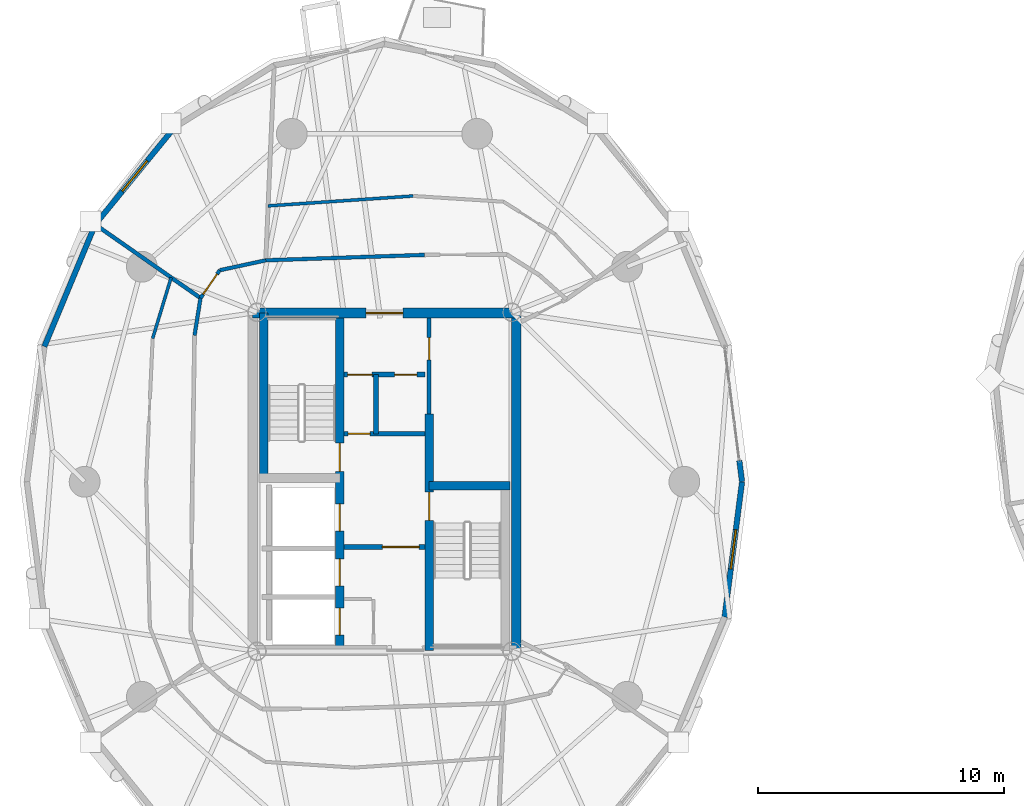
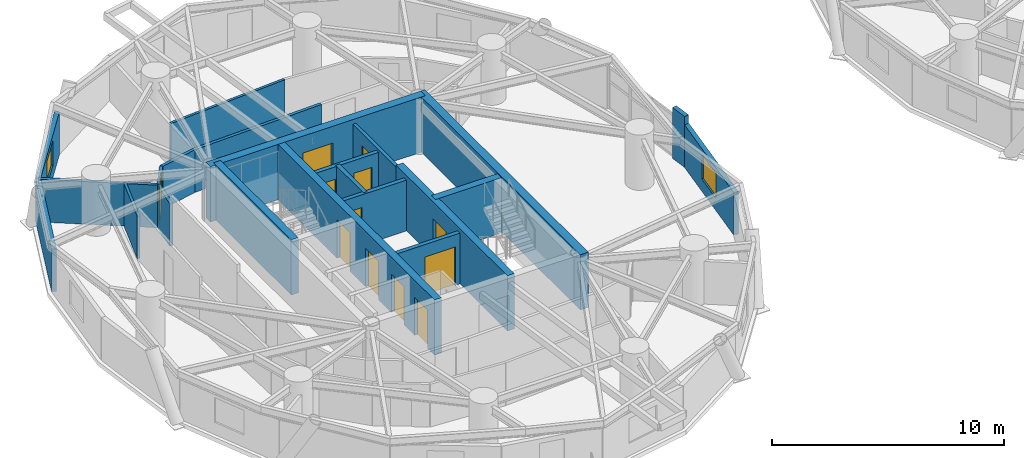
# One storey, part 12 of 19: 22 walls, 12 doors, 2 windows, 14 openings.
"""IFC4 building model written with IfcOpenShell, lengths in metres."""

from ifc_helpers import new_model, si_unit, direction, frame, frame_2d, origin, place, context, subcontext, project, spatial, rectangle, extrude, source, transform, mapped, material, layer, layer_set, type_object, element, fill, save


model = new_model("IFC4")

# Units and contexts
model_context = context("Model", 3, precision=1e-05, world=origin(), true_north=direction((0.0, 1.0)))
body_context = subcontext(model_context, "Body", "Model", "MODEL_VIEW")
ifc_project = project(units=[si_unit("LENGTHUNIT", "METRE"), si_unit("AREAUNIT", "SQUARE_METRE"), si_unit("VOLUMEUNIT", "CUBIC_METRE"), si_unit("PLANEANGLEUNIT", "RADIAN"), si_unit("MASSUNIT", "GRAM", prefix="KILO")], contexts=[model_context])

# Site, building, storey
site_placement = place(None, origin())
site = spatial("IfcSite", under=ifc_project, at=site_placement, CompositionType="ELEMENT")
building_placement = place(site_placement, origin())
building = spatial("IfcBuilding", under=site, at=building_placement, Name="Cununo Teusaquillo Station Towers", CompositionType="ELEMENT")
storey_placement = place(building_placement, frame((0.0, 0.0, 160.330078125)))
storey = spatial("IfcBuildingStorey", under=building, at=storey_placement, Name="L50", CompositionType="ELEMENT", Elevation=160.330078125)

# Wall, openings, doors
ifc_material_1 = material(Name="Concrete C50/60", Category="concrete")
ifc_layer_1 = layer(ifc_material_1, 0.35009765625)
ifc_layer_set_1 = layer_set([ifc_layer_1], Name="Concrete C50/60")
wall_type_1 = type_object("IfcWallType", Name="WL-CORE-350", PredefinedType="SHEAR", material=ifc_layer_set_1)
wall_1_placement = place(storey_placement, frame((14.68505859375, 17.64990234375, 0.0), z_axis=(0.0, 0.0, 1.0), x_axis=(0.0, 1.0, 0.0)))
wall_1 = element("IfcWall", 1, at=wall_1_placement, inside=storey, type_object=wall_type_1, Name="L50 Tower A Core Shear Wall IW", PredefinedType="SHEAR", context=body_context, shape_type="SweptSolid", body=[
    extrude(rectangle(XDim=13.7001953125, YDim=0.35009765625, at=frame_2d((6.85009765625, 0.0))), origin(), (0.0, 0.0, 1.0), 2.909912109375),
])
shared_shape_1 = source(origin(), body_context, "Body", "SweptSolid", [
    extrude(rectangle(XDim=1.10009765625, YDim=2.014892578125, at=frame_2d((0.550048828125, 1.00732421875))), frame((0.0, 0.18505859375, 0.0), z_axis=(0.0, -1.0, 0.0), x_axis=(1.0, 0.0, 0.0)), (0.0, 0.0, 1.0), 0.3701171875),
])
opening_1_placement = place(wall_1_placement, frame((4.85009765625, 0.0, 0.0)))
opening_1 = element("IfcOpeningElement", 2, at=opening_1_placement, cuts=wall_1, Name="Opening LD-01", PredefinedType="OPENING", context=body_context, shape_type="MappedRepresentation", body=[
    mapped(shared_shape_1, transform((0.0, 0.0, 0.0), x_axis=(1.0, 0.0, 0.0), y_axis=(0.0, 1.0, 0.0), z_axis=(0.0, 0.0, 1.0), scale=1.0)),
])
opening_2_placement = place(wall_1_placement, frame((0.625, 0.0, 0.0)))
opening_2 = element("IfcOpeningElement", 3, at=opening_2_placement, cuts=wall_1, Name="Opening LD-01", PredefinedType="OPENING", context=body_context, shape_type="MappedRepresentation", body=[
    mapped(shared_shape_1, transform((0.0, 0.0, 0.0), x_axis=(1.0, 0.0, 0.0), y_axis=(0.0, 1.0, 0.0), z_axis=(0.0, 0.0, 1.0), scale=1.0)),
])
opening_3_placement = place(wall_1_placement, frame((2.625, 0.0, 0.0)))
opening_3 = element("IfcOpeningElement", 4, at=opening_3_placement, cuts=wall_1, Name="Opening LD-01", PredefinedType="OPENING", context=body_context, shape_type="MappedRepresentation", body=[
    mapped(shared_shape_1, transform((0.0, 0.0, 0.0), x_axis=(1.0, 0.0, 0.0), y_axis=(0.0, 1.0, 0.0), z_axis=(0.0, 0.0, 1.0), scale=1.0)),
])
shared_shape_2 = source(origin(), body_context, "Body", "SweptSolid", [
    extrude(rectangle(XDim=1.14990234375, YDim=2.02001953125, at=frame_2d((0.574951171875, 1.010009765625))), frame((0.0, 0.18505859375, 0.0), z_axis=(0.0, -1.0, 0.0), x_axis=(1.0, 0.0, 0.0)), (0.0, 0.0, 1.0), 0.3701171875),
])
opening_4_placement = place(wall_1_placement, frame((7.27001953125, 0.0, 0.0)))
opening_4 = element("IfcOpeningElement", 5, at=opening_4_placement, cuts=wall_1, Name="Opening D-ST1", PredefinedType="OPENING", context=body_context, shape_type="MappedRepresentation", body=[
    mapped(shared_shape_2, transform((0.0, 0.0, 0.0), x_axis=(1.0, 0.0, 0.0), y_axis=(0.0, 1.0, 0.0), z_axis=(0.0, 0.0, 1.0), scale=1.0)),
])
ifc_material_2 = material(Name="Galvanised fire-rated hollow steel door assembly", Category="steel")
door_type_1 = type_object("IfcDoorType", Name="DR-LIFT-1100", OperationType="SLIDING_TO_LEFT", PredefinedType="DOOR", material=ifc_material_2)
shared_shape_3 = source(origin(), body_context, "Body", "SweptSolid", [
    extrude(rectangle(XDim=1.10009765625, YDim=2.014892578125, at=frame_2d((0.550048828125, 1.00732421875))), frame((0.0, 0.02490234375, 0.0), z_axis=(0.0, -1.0, 0.0), x_axis=(1.0, 0.0, 0.0)), (0.0, 0.0, 1.0), 0.050048828125),
])
door_1_placement = place(opening_1_placement, origin())
door_1 = element("IfcDoor", 6, at=door_1_placement, inside=storey, type_object=door_type_1, Name="L50 Lift FL-T1 Sliding Landing Door", OperationType="SLIDING_TO_LEFT", OverallHeight=2.014892578125, OverallWidth=1.10009765625, PredefinedType="DOOR", context=body_context, shape_type="MappedRepresentation", body=[
    mapped(shared_shape_3, transform((0.0, 0.0, 0.0), x_axis=(1.0, 0.0, 0.0), y_axis=(0.0, 1.0, 0.0), z_axis=(0.0, 0.0, 1.0), scale=1.0)),
])
fill(opening_1, door_1)
door_2_placement = place(opening_2_placement, origin())
door_2 = element("IfcDoor", 7, at=door_2_placement, inside=storey, type_object=door_type_1, Name="L50 Lift PL-T1-H1 Sliding Landing Door", OperationType="SLIDING_TO_RIGHT", OverallHeight=2.014892578125, OverallWidth=1.10009765625, PredefinedType="DOOR", context=body_context, shape_type="MappedRepresentation", body=[
    mapped(shared_shape_3, transform((0.0, 0.0, 0.0), x_axis=(1.0, 0.0, 0.0), y_axis=(0.0, 1.0, 0.0), z_axis=(0.0, 0.0, 1.0), scale=1.0)),
])
fill(opening_2, door_2)
door_3_placement = place(opening_3_placement, origin())
door_3 = element("IfcDoor", 8, at=door_3_placement, inside=storey, type_object=door_type_1, Name="L50 Lift PL-T1-H2 Sliding Landing Door", OperationType="SLIDING_TO_LEFT", OverallHeight=2.014892578125, OverallWidth=1.10009765625, PredefinedType="DOOR", context=body_context, shape_type="MappedRepresentation", body=[
    mapped(shared_shape_3, transform((0.0, 0.0, 0.0), x_axis=(1.0, 0.0, 0.0), y_axis=(0.0, 1.0, 0.0), z_axis=(0.0, 0.0, 1.0), scale=1.0)),
])
fill(opening_3, door_3)
ifc_material_3 = material(Name="Galvanised fire-rated hollow steel door assembly", Category="steel")
door_type_2 = type_object("IfcDoorType", Name="DR-STAIR-1150", OperationType="NOTDEFINED", PredefinedType="DOOR", material=ifc_material_3)
shared_shape_4 = source(origin(), body_context, "Body", "SweptSolid", [
    extrude(rectangle(XDim=1.14990234375, YDim=2.02001953125, at=frame_2d((0.574951171875, 1.010009765625))), frame((0.0, 0.02490234375, 0.0), z_axis=(0.0, -1.0, 0.0), x_axis=(1.0, 0.0, 0.0)), (0.0, 0.0, 1.0), 0.050048828125),
])
door_4_placement = place(opening_4_placement, origin())
door_4 = element("IfcDoor", 9, at=door_4_placement, inside=storey, type_object=door_type_2, Name="L50 Tower A Exit Stair 1 Fire Door", OperationType="SINGLE_SWING_RIGHT", OverallHeight=2.02001953125, OverallWidth=1.14990234375, PredefinedType="DOOR", context=body_context, shape_type="MappedRepresentation", body=[
    mapped(shared_shape_4, transform((0.0, 0.0, 0.0), x_axis=(1.0, 0.0, 0.0), y_axis=(0.0, 1.0, 0.0), z_axis=(0.0, 0.0, 1.0), scale=1.0)),
])
fill(opening_4, door_4)

# Wall, opening, door
wall_2_placement = place(storey_placement, frame((18.31494140625, 17.64990234375, 0.0), z_axis=(0.0, 0.0, 1.0), x_axis=(0.0, 1.0, 0.0)))
wall_2 = element("IfcWall", 10, at=wall_2_placement, inside=storey, type_object=wall_type_1, Name="L50 Tower A Core Shear Wall IE", PredefinedType="SHEAR", context=body_context, shape_type="SweptSolid", body=[
    extrude(rectangle(XDim=9.60009765625, YDim=0.35009765625, at=frame_2d((4.800048828125, 0.0))), origin(), (0.0, 0.0, 1.0), 2.909912109375),
])
opening_5_placement = place(wall_2_placement, frame((5.280029296875, 0.0, 0.0)))
opening_5 = element("IfcOpeningElement", 11, at=opening_5_placement, cuts=wall_2, Name="Opening D-ST1", PredefinedType="OPENING", context=body_context, shape_type="MappedRepresentation", body=[
    mapped(shared_shape_2, transform((0.0, 0.0, 0.0), x_axis=(1.0, 0.0, 0.0), y_axis=(0.0, 1.0, 0.0), z_axis=(0.0, 0.0, 1.0), scale=1.0)),
])
door_5_placement = place(opening_5_placement, origin())
door_5 = element("IfcDoor", 12, at=door_5_placement, inside=storey, type_object=door_type_2, Name="L50 Tower A Exit Stair 2 Fire Door", OperationType="SINGLE_SWING_LEFT", OverallHeight=2.02001953125, OverallWidth=1.14990234375, PredefinedType="DOOR", context=body_context, shape_type="MappedRepresentation", body=[
    mapped(shared_shape_4, transform((0.0, 0.0, 0.0), x_axis=(1.0, 0.0, 0.0), y_axis=(0.0, 1.0, 0.0), z_axis=(0.0, 0.0, 1.0), scale=1.0)),
])
fill(opening_5, door_5)

# Walls
wall_3_placement = place(storey_placement, frame((11.594970703125, 24.655029296875, 0.0), z_axis=(0.0, 0.0, 1.0), x_axis=(0.0, 1.0, 0.0)))
element("IfcWall", 13, at=wall_3_placement, inside=storey, type_object=wall_type_1, Name="L50 Tower A Core Shear Wall ST1W", PredefinedType="SHEAR", context=body_context, shape_type="SweptSolid", body=[
    extrude(rectangle(XDim=6.695068359375, YDim=0.35009765625, at=frame_2d((3.34765625, 0.0))), origin(), (0.0, 0.0, 1.0), 2.909912109375),
])
wall_4_placement = place(storey_placement, frame((18.31494140625, 24.344970703125, 0.0), z_axis=(0.0, 0.0, 1.0), x_axis=(1.0, 0.0, 0.0)))
element("IfcWall", 14, at=wall_4_placement, inside=storey, type_object=wall_type_1, Name="L50 Tower A Core Shear Wall ST2N", PredefinedType="SHEAR", context=body_context, shape_type="SweptSolid", body=[
    extrude(rectangle(XDim=3.28515625, YDim=0.35009765625, at=frame_2d((1.642578125, 0.0))), origin(), (0.0, 0.0, 1.0), 2.909912109375),
])
ifc_material_4 = material(Name="Concrete C50/60", Category="concrete")
ifc_layer_2 = layer(ifc_material_4, 0.39990234375)
ifc_layer_set_2 = layer_set([ifc_layer_2], Name="Concrete C50/60")
wall_type_2 = type_object("IfcWallType", Name="WL-CORE-400", PredefinedType="SHEAR", material=ifc_layer_set_2)
wall_5_placement = place(storey_placement, frame((21.85009765625, 17.449951171875, 0.0), z_axis=(0.0, 0.0, 1.0), x_axis=(0.0, 1.0, 0.0)))
element("IfcWall", 15, at=wall_5_placement, inside=storey, type_object=wall_type_2, Name="L50 Tower A Core Shear Wall E", PredefinedType="SHEAR", context=body_context, shape_type="SweptSolid", body=[
    extrude(rectangle(XDim=14.10009765625, YDim=0.39990234375, at=frame_2d((7.050048828125, 0.0))), origin(), (0.0, 0.0, 1.0), 2.909912109375),
])

# Wall, opening, door
wall_6_placement = place(storey_placement, frame((11.14990234375, 31.35009765625, 0.0), z_axis=(0.0, 0.0, 1.0), x_axis=(1.0, 0.0, 0.0)))
wall_6 = element("IfcWall", 16, at=wall_6_placement, inside=storey, type_object=wall_type_2, Name="L50 Tower A Core Shear Wall N", PredefinedType="SHEAR", context=body_context, shape_type="SweptSolid", body=[
    extrude(rectangle(XDim=10.7001953125, YDim=0.39990234375, at=frame_2d((5.35009765625, 0.0))), origin(), (0.0, 0.0, 1.0), 2.909912109375),
])
shared_shape_5 = source(origin(), body_context, "Body", "SweptSolid", [
    extrude(rectangle(XDim=1.5, YDim=2.02001953125, at=frame_2d((0.75, 1.010009765625))), frame((0.0, 0.2099609375, 0.0), z_axis=(0.0, -1.0, 0.0), x_axis=(1.0, 0.0, 0.0)), (0.0, 0.0, 1.0), 0.419921875),
])
opening_6_placement = place(wall_6_placement, frame((4.60009765625, 0.0, 0.0)))
opening_6 = element("IfcOpeningElement", 17, at=opening_6_placement, cuts=wall_6, Name="Opening D-LB1", PredefinedType="OPENING", context=body_context, shape_type="MappedRepresentation", body=[
    mapped(shared_shape_5, transform((0.0, 0.0, 0.0), x_axis=(1.0, 0.0, 0.0), y_axis=(0.0, 1.0, 0.0), z_axis=(0.0, 0.0, 1.0), scale=1.0)),
])
ifc_material_5 = material(Name="Galvanised fire-rated hollow steel door assembly", Category="steel")
door_type_3 = type_object("IfcDoorType", Name="DR-LOBBY-1500", OperationType="DOUBLE_DOOR_SINGLE_SWING", PredefinedType="DOOR", material=ifc_material_5)
shared_shape_6 = source(origin(), body_context, "Body", "SweptSolid", [
    extrude(rectangle(XDim=1.5, YDim=2.02001953125, at=frame_2d((0.75, 1.010009765625))), frame((0.0, 0.02490234375, 0.0), z_axis=(0.0, -1.0, 0.0), x_axis=(1.0, 0.0, 0.0)), (0.0, 0.0, 1.0), 0.050048828125),
])
door_6_placement = place(opening_6_placement, origin())
door_6 = element("IfcDoor", 18, at=door_6_placement, inside=storey, type_object=door_type_3, Name="L50 Tower A North Core Lift Lobby Door", OperationType="DOUBLE_DOOR_SINGLE_SWING", OverallHeight=2.02001953125, OverallWidth=1.5, PredefinedType="DOOR", context=body_context, shape_type="MappedRepresentation", body=[
    mapped(shared_shape_6, transform((0.0, 0.0, 0.0), x_axis=(1.0, 0.0, 0.0), y_axis=(0.0, 1.0, 0.0), z_axis=(0.0, 0.0, 1.0), scale=1.0)),
])
fill(opening_6, door_6)

# Wall
ifc_material_6 = material(Name="Precast concrete C40/50", Category="concrete")
ifc_layer_3 = layer(ifc_material_6, 0.219970703125)
ifc_layer_set_3 = layer_set([ifc_layer_3], Name="Precast concrete C40/50")
wall_type_3 = type_object("IfcWallType", Name="WL-EXT-220", PredefinedType="SOLIDWALL", material=ifc_layer_set_3)
wall_7_placement = place(storey_placement, frame((30.9033203125, 25.36279296875, 0.0), z_axis=(0.0, 0.0, 1.0), x_axis=(0.128247365719, -0.991742211054, 0.0)))
element("IfcWall", 19, at=wall_7_placement, inside=storey, type_object=wall_type_3, Name="L50 Tower A Column Pier Cladding Wall C00-PB", PredefinedType="SOLIDWALL", context=body_context, shape_type="SweptSolid", body=[
    extrude(rectangle(XDim=0.869873046875, YDim=0.219970703125, at=frame_2d((0.43505859375, 0.0))), origin(), (0.0, 0.0, 1.0), 2.6748046875),
])

# Wall, opening, window
wall_8_placement = place(storey_placement, frame((4.757080078125, 34.94482421875, 0.0), z_axis=(0.0, 0.0, 1.0), x_axis=(0.632598524901, 0.774479894053, 0.0)))
wall_8 = element("IfcWall", 20, at=wall_8_placement, inside=storey, type_object=wall_type_3, Name="L50 Tower A Exterior Facade Wall C07", PredefinedType="SOLIDWALL", context=body_context, shape_type="SweptSolid", body=[
    extrude(rectangle(XDim=5.076171875, YDim=0.219970703125, at=frame_2d((2.5380859375, 0.0))), origin(), (0.0, 0.0, 1.0), 2.244873046875),
])
shared_shape_7 = source(origin(), body_context, "Body", "SweptSolid", [
    extrude(rectangle(XDim=1.60009765625, YDim=1.300048828125, at=frame_2d((0.800048828125, 0.64990234375))), frame((0.0, 0.119873046875, 0.0), z_axis=(0.0, -1.0, 0.0), x_axis=(1.0, 0.0, 0.0)), (0.0, 0.0, 1.0), 0.239990234375),
])
opening_7_placement = place(wall_8_placement, frame((1.738037109375, 0.0, 0.64990234375)))
opening_7 = element("IfcOpeningElement", 21, at=opening_7_placement, cuts=wall_8, Name="Opening WN-03", PredefinedType="OPENING", context=body_context, shape_type="MappedRepresentation", body=[
    mapped(shared_shape_7, transform((0.0, 0.0, 0.0), x_axis=(1.0, 0.0, 0.0), y_axis=(0.0, 1.0, 0.0), z_axis=(0.0, 0.0, 1.0), scale=1.0)),
])
ifc_material_7 = material(Name="Ceramic-fritted dark low-E double glazing", Category="glass")
window_type = type_object("IfcWindowType", Name="WIN-CORN-1600", PartitioningType="SINGLE_PANEL", PredefinedType="WINDOW", material=ifc_material_7)
shared_shape_8 = source(origin(), body_context, "Body", "SweptSolid", [
    extrude(rectangle(XDim=1.60009765625, YDim=1.300048828125, at=frame_2d((0.800048828125, 0.64990234375))), frame((0.0, 0.030029296875, 0.0), z_axis=(0.0, -1.0, 0.0), x_axis=(1.0, 0.0, 0.0)), (0.0, 0.0, 1.0), 0.06005859375),
])
window_1_placement = place(opening_7_placement, origin())
window_1 = element("IfcWindow", 22, at=window_1_placement, inside=storey, type_object=window_type, Name="L50 Tower A Facade Window C07", OverallHeight=1.300048828125, OverallWidth=1.60009765625, PartitioningType="SINGLE_PANEL", PredefinedType="WINDOW", context=body_context, shape_type="MappedRepresentation", body=[
    mapped(shared_shape_8, transform((0.0, 0.0, 0.0), x_axis=(1.0, 0.0, 0.0), y_axis=(0.0, 1.0, 0.0), z_axis=(0.0, 0.0, 1.0), scale=1.0)),
])
fill(opening_7, window_1)

# Wall
wall_9_placement = place(storey_placement, frame((2.6953125, 29.9912109375, 0.0), z_axis=(0.0, 0.0, 1.0), x_axis=(0.384259959969, 0.923224936386, 0.0)))
element("IfcWall", 23, at=wall_9_placement, inside=storey, type_object=wall_type_3, Name="L50 Tower A Exterior Facade Wall C08", PredefinedType="SOLIDWALL", context=body_context, shape_type="SweptSolid", body=[
    extrude(rectangle(XDim=5.365478515625, YDim=0.219970703125, at=frame_2d((2.6826171875, 0.0))), origin(), (0.0, 0.0, 1.0), 2.244873046875),
])

# Wall, opening, window
wall_10_placement = place(storey_placement, frame((31.014892578125, 24.5, 0.0), z_axis=(0.0, 0.0, 1.0), x_axis=(-0.128266533912, -0.991739732126, 0.0)))
wall_10 = element("IfcWall", 24, at=wall_10_placement, inside=storey, type_object=wall_type_3, Name="L50 Tower A Exterior Facade Wall C19", PredefinedType="SOLIDWALL", context=body_context, shape_type="SweptSolid", body=[
    extrude(rectangle(XDim=5.536865234375, YDim=0.219970703125, at=frame_2d((2.7685546875, 0.0))), origin(), (0.0, 0.0, 1.0), 2.244873046875),
])
opening_8_placement = place(wall_10_placement, frame((1.968017578125, 0.0, 0.64990234375)))
opening_8 = element("IfcOpeningElement", 25, at=opening_8_placement, cuts=wall_10, Name="Opening WN-03", PredefinedType="OPENING", context=body_context, shape_type="MappedRepresentation", body=[
    mapped(shared_shape_7, transform((0.0, 0.0, 0.0), x_axis=(1.0, 0.0, 0.0), y_axis=(0.0, 1.0, 0.0), z_axis=(0.0, 0.0, 1.0), scale=1.0)),
])
window_2_placement = place(opening_8_placement, origin())
window_2 = element("IfcWindow", 26, at=window_2_placement, inside=storey, type_object=window_type, Name="L50 Tower A Facade Window C19", OverallHeight=1.300048828125, OverallWidth=1.60009765625, PartitioningType="SINGLE_PANEL", PredefinedType="WINDOW", context=body_context, shape_type="MappedRepresentation", body=[
    mapped(shared_shape_8, transform((0.0, 0.0, 0.0), x_axis=(1.0, 0.0, 0.0), y_axis=(0.0, 1.0, 0.0), z_axis=(0.0, 0.0, 1.0), scale=1.0)),
])
fill(opening_8, window_2)

# Walls
ifc_material_8 = material(Name="Fire-rated gypsum plasterboard partition assembly", Category="gypsum")
ifc_layer_4 = layer(ifc_material_8, 0.125)
ifc_layer_set_4 = layer_set([ifc_layer_4], Name="Fire-rated gypsum plasterboard partition assembly")
wall_type_4 = type_object("IfcWallType", Name="WL-PART-125", PredefinedType="PARTITIONING", material=ifc_layer_set_4)
wall_11_placement = place(storey_placement, frame((17.668212890625, 36.100830078125, 0.0), z_axis=(0.0, 0.0, 1.0), x_axis=(-0.997685095246, -0.068003314066, 0.0)))
element("IfcWall", 27, at=wall_11_placement, inside=storey, type_object=wall_type_4, Name="L50 Tower A High-Zone Club Reading & Dining Hall Concentric Partition Wall C05", PredefinedType="PARTITIONING", context=body_context, shape_type="SweptSolid", body=[
    extrude(rectangle(XDim=5.90576171875, YDim=0.125, at=frame_2d((2.952880859375, 0.0))), origin(), (0.0, 0.0, 1.0), 2.244873046875),
])
wall_12_placement = place(storey_placement, frame((7.840087890625, 32.791015625, 0.0), z_axis=(0.0, 0.0, 1.0), x_axis=(-0.290387415435, -0.956909164423, 0.0)))
element("IfcWall", 28, at=wall_12_placement, inside=storey, type_object=wall_type_4, Name="L50 Tower A Sabana Wellness & Spa Lounge Concentric Partition Wall C08", PredefinedType="PARTITIONING", context=body_context, shape_type="SweptSolid", body=[
    extrude(rectangle(XDim=2.585205078125, YDim=0.125, at=frame_2d((1.29248046875, 0.0))), origin(), (0.0, 0.0, 1.0), 2.244873046875),
])
ifc_material_9 = material(Name="Fire-rated gypsum plasterboard partition assembly", Category="gypsum")
ifc_layer_5 = layer(ifc_material_9, 0.14990234375)
ifc_layer_set_5 = layer_set([ifc_layer_5], Name="Fire-rated gypsum plasterboard partition assembly")
wall_type_5 = type_object("IfcWallType", Name="WL-PART-150", PredefinedType="PARTITIONING", material=ifc_layer_set_5)
wall_13_placement = place(storey_placement, frame((18.12255859375, 33.70947265625, 0.0), z_axis=(0.0, 0.0, 1.0), x_axis=(-0.999417459976, -0.034128297572, 0.0)))
element("IfcWall", 29, at=wall_13_placement, inside=storey, type_object=wall_type_5, Name="L50 Tower A Corridor Ring Wall C05", PredefinedType="PARTITIONING", context=body_context, shape_type="SweptSolid", body=[
    extrude(rectangle(XDim=6.4453125, YDim=0.14990234375, at=frame_2d((3.22265625, 0.0))), origin(), (0.0, 0.0, 1.0), 2.244873046875),
])
wall_14_placement = place(storey_placement, frame((11.680908203125, 33.489501953125, 0.0), z_axis=(0.0, 0.0, 1.0), x_axis=(-0.977628265995, -0.2103401377, 0.0)))
element("IfcWall", 30, at=wall_14_placement, inside=storey, type_object=wall_type_5, Name="L50 Tower A Corridor Ring Wall C06", PredefinedType="PARTITIONING", context=body_context, shape_type="SweptSolid", body=[
    extrude(rectangle(XDim=1.91162109375, YDim=0.14990234375, at=frame_2d((0.955810546875, 0.0))), origin(), (0.0, 0.0, 1.0), 2.244873046875),
])

# Wall, opening, door
wall_15_placement = place(storey_placement, frame((9.81201171875, 33.08740234375, 0.0), z_axis=(0.0, 0.0, 1.0), x_axis=(-0.567811958729, -0.823158295545, 0.0)))
wall_15 = element("IfcWall", 31, at=wall_15_placement, inside=storey, type_object=wall_type_5, Name="L50 Tower A Corridor Ring Wall C07", PredefinedType="PARTITIONING", context=body_context, shape_type="SweptSolid", body=[
    extrude(rectangle(XDim=1.3720703125, YDim=0.14990234375, at=frame_2d((0.68603515625, 0.0))), origin(), (0.0, 0.0, 1.0), 2.244873046875),
])
shared_shape_9 = source(origin(), body_context, "Body", "SweptSolid", [
    extrude(rectangle(XDim=1.0, YDim=2.014892578125, at=frame_2d((0.5, 1.00732421875))), frame((0.0, 0.0849609375, 0.0), z_axis=(0.0, -1.0, 0.0), x_axis=(1.0, 0.0, 0.0)), (0.0, 0.0, 1.0), 0.169921875),
])
opening_9_placement = place(wall_15_placement, frame((0.18603515625, 0.0, 0.0)))
opening_9 = element("IfcOpeningElement", 32, at=opening_9_placement, cuts=wall_15, Name="Opening D-AC1", PredefinedType="OPENING", context=body_context, shape_type="MappedRepresentation", body=[
    mapped(shared_shape_9, transform((0.0, 0.0, 0.0), x_axis=(1.0, 0.0, 0.0), y_axis=(0.0, 1.0, 0.0), z_axis=(0.0, 0.0, 1.0), scale=1.0)),
])
ifc_material_10 = material(Name="Acoustic solid-core hardwood leaf assembly", Category="wood")
door_type_4 = type_object("IfcDoorType", Name="DR-ACC-1000", OperationType="NOTDEFINED", PredefinedType="DOOR", material=ifc_material_10)
shared_shape_10 = source(origin(), body_context, "Body", "SweptSolid", [
    extrude(rectangle(XDim=1.0, YDim=2.014892578125, at=frame_2d((0.5, 1.00732421875))), frame((0.0, 0.02490234375, 0.0), z_axis=(0.0, -1.0, 0.0), x_axis=(1.0, 0.0, 0.0)), (0.0, 0.0, 1.0), 0.050048828125),
])
door_7_placement = place(opening_9_placement, origin())
door_7 = element("IfcDoor", 33, at=door_7_placement, inside=storey, type_object=door_type_4, Name="L50 Tower A Public Accessible Restroom WC Entrance Door", OperationType="SINGLE_SWING_LEFT", OverallHeight=2.014892578125, OverallWidth=1.0, PredefinedType="DOOR", context=body_context, shape_type="MappedRepresentation", body=[
    mapped(shared_shape_10, transform((0.0, 0.0, 0.0), x_axis=(1.0, 0.0, 0.0), y_axis=(0.0, 1.0, 0.0), z_axis=(0.0, 0.0, 1.0), scale=1.0)),
])
fill(opening_9, door_7)

# Wall
wall_16_placement = place(storey_placement, frame((9.032958984375, 31.9580078125, 0.0), z_axis=(0.0, 0.0, 1.0), x_axis=(-0.158344987388, -0.98738384885, 0.0)))
element("IfcWall", 34, at=wall_16_placement, inside=storey, type_object=wall_type_5, Name="L50 Tower A Corridor Ring Wall C08", PredefinedType="PARTITIONING", context=body_context, shape_type="SweptSolid", body=[
    extrude(rectangle(XDim=1.531005859375, YDim=0.14990234375, at=frame_2d((0.765625, 0.0))), origin(), (0.0, 0.0, 1.0), 2.244873046875),
])

# Wall, opening, door
ifc_material_11 = material(Name="Fire-rated gypsum plasterboard partition assembly", Category="gypsum")
ifc_layer_6 = layer(ifc_material_11, 0.159912109375)
ifc_layer_set_6 = layer_set([ifc_layer_6], Name="Fire-rated gypsum plasterboard partition assembly")
wall_type_6 = type_object("IfcWallType", Name="WL-PART-160", PredefinedType="PARTITIONING", material=ifc_layer_set_6)
wall_17_placement = place(storey_placement, frame((18.31494140625, 27.25, 0.0), z_axis=(0.0, 0.0, 1.0), x_axis=(0.0, 1.0, 0.0)))
wall_17 = element("IfcWall", 35, at=wall_17_placement, inside=storey, type_object=wall_type_6, Name="L50 Tower A Reclaimed Core Bay Entry Wall", PredefinedType="PARTITIONING", context=body_context, shape_type="SweptSolid", body=[
    extrude(rectangle(XDim=3.89990234375, YDim=0.159912109375, at=frame_2d((1.949951171875, 0.0))), origin(), (0.0, 0.0, 1.0), 2.6748046875),
])
shared_shape_11 = source(origin(), body_context, "Body", "SweptSolid", [
    extrude(rectangle(XDim=0.89990234375, YDim=2.0048828125, at=frame_2d((0.449951171875, 1.00244140625))), frame((0.0, 0.08984375, 0.0), z_axis=(0.0, -1.0, 0.0), x_axis=(1.0, 0.0, 0.0)), (0.0, 0.0, 1.0), 0.179931640625),
])
opening_10_placement = place(wall_17_placement, frame((2.199951171875, 0.0, 0.0)))
opening_10 = element("IfcOpeningElement", 36, at=opening_10_placement, cuts=wall_17, Name="Opening D-IN1", PredefinedType="OPENING", context=body_context, shape_type="MappedRepresentation", body=[
    mapped(shared_shape_11, transform((0.0, 0.0, 0.0), x_axis=(1.0, 0.0, 0.0), y_axis=(0.0, 1.0, 0.0), z_axis=(0.0, 0.0, 1.0), scale=1.0)),
])
ifc_material_12 = material(Name="Acoustic solid-core hardwood leaf assembly", Category="wood")
door_type_5 = type_object("IfcDoorType", Name="DR-INT-900", OperationType="NOTDEFINED", PredefinedType="DOOR", material=ifc_material_12)
shared_shape_12 = source(origin(), body_context, "Body", "SweptSolid", [
    extrude(rectangle(XDim=0.89990234375, YDim=2.0048828125, at=frame_2d((0.449951171875, 1.00244140625))), frame((0.0, 0.02490234375, 0.0), z_axis=(0.0, -1.0, 0.0), x_axis=(1.0, 0.0, 0.0)), (0.0, 0.0, 1.0), 0.050048828125),
])
door_8_placement = place(opening_10_placement, origin())
door_8 = element("IfcDoor", 37, at=door_8_placement, inside=storey, type_object=door_type_5, Name="L50 Tower A Reclaimed Core Lounge Door", OperationType="SINGLE_SWING_RIGHT", OverallHeight=2.0048828125, OverallWidth=0.89990234375, PredefinedType="DOOR", context=body_context, shape_type="MappedRepresentation", body=[
    mapped(shared_shape_12, transform((0.0, 0.0, 0.0), x_axis=(1.0, 0.0, 0.0), y_axis=(0.0, 1.0, 0.0), z_axis=(0.0, 0.0, 1.0), scale=1.0)),
])
fill(opening_10, door_8)

# Wall
wall_18_placement = place(storey_placement, frame((9.032958984375, 31.9580078125, 0.0), z_axis=(0.0, 0.0, 1.0), x_axis=(-0.819840720998, 0.572591645236, 0.0)))
element("IfcWall", 38, at=wall_18_placement, inside=storey, type_object=wall_type_6, Name="L50 Tower A Radial Suite Partition R03", PredefinedType="PARTITIONING", context=body_context, shape_type="SweptSolid", body=[
    extrude(rectangle(XDim=5.19580078125, YDim=0.159912109375, at=frame_2d((2.597900390625, 0.0))), origin(), (0.0, 0.0, 1.0), 2.244873046875),
])

# Wall, opening, door
ifc_material_13 = material(Name="Fire-rated gypsum plasterboard partition assembly", Category="gypsum")
ifc_layer_7 = layer(ifc_material_13, 0.199951171875)
ifc_layer_set_7 = layer_set([ifc_layer_7], Name="Fire-rated gypsum plasterboard partition assembly")
wall_type_7 = type_object("IfcWallType", Name="WL-PART-200", PredefinedType="PARTITIONING", material=ifc_layer_set_7)
wall_19_placement = place(storey_placement, frame((14.860107421875, 21.85009765625, 0.0), z_axis=(0.0, 0.0, 1.0), x_axis=(1.0, 0.0, 0.0)))
wall_19 = element("IfcWall", 39, at=wall_19_placement, inside=storey, type_object=wall_type_7, Name="L50 Tower A Firefighting Lift Lobby South Fire Wall", PredefinedType="PARTITIONING", context=body_context, shape_type="SweptSolid", body=[
    extrude(rectangle(XDim=3.27978515625, YDim=0.199951171875, at=frame_2d((1.639892578125, 0.0))), origin(), (0.0, 0.0, 1.0), 2.6748046875),
])
shared_shape_13 = source(origin(), body_context, "Body", "SweptSolid", [
    extrude(rectangle(XDim=1.5, YDim=2.02001953125, at=frame_2d((0.75, 1.010009765625))), frame((0.0, 0.10986328125, 0.0), z_axis=(0.0, -1.0, 0.0), x_axis=(1.0, 0.0, 0.0)), (0.0, 0.0, 1.0), 0.219970703125),
])
opening_11_placement = place(wall_19_placement, frame((1.550048828125, 0.0, 0.0)))
opening_11 = element("IfcOpeningElement", 40, at=opening_11_placement, cuts=wall_19, Name="Opening D-LB1", PredefinedType="OPENING", context=body_context, shape_type="MappedRepresentation", body=[
    mapped(shared_shape_13, transform((0.0, 0.0, 0.0), x_axis=(1.0, 0.0, 0.0), y_axis=(0.0, 1.0, 0.0), z_axis=(0.0, 0.0, 1.0), scale=1.0)),
])
door_9_placement = place(opening_11_placement, origin())
door_9 = element("IfcDoor", 41, at=door_9_placement, inside=storey, type_object=door_type_3, Name="L50 Tower A Firefighting Lift Lobby South Fire Door", OperationType="DOUBLE_DOOR_SINGLE_SWING", OverallHeight=2.02001953125, OverallWidth=1.5, PredefinedType="DOOR", context=body_context, shape_type="MappedRepresentation", body=[
    mapped(shared_shape_6, transform((0.0, 0.0, 0.0), x_axis=(1.0, 0.0, 0.0), y_axis=(0.0, 1.0, 0.0), z_axis=(0.0, 0.0, 1.0), scale=1.0)),
])
fill(opening_11, door_9)

wall_20_placement = place(storey_placement, frame((14.860107421875, 26.449951171875, 0.0), z_axis=(0.0, 0.0, 1.0), x_axis=(1.0, 0.0, 0.0)))
wall_20 = element("IfcWall", 42, at=wall_20_placement, inside=storey, type_object=wall_type_7, Name="L50 Tower A Firefighting Lift Lobby North Fire Wall", PredefinedType="PARTITIONING", context=body_context, shape_type="SweptSolid", body=[
    extrude(rectangle(XDim=3.27978515625, YDim=0.199951171875, at=frame_2d((1.639892578125, 0.0))), origin(), (0.0, 0.0, 1.0), 2.6748046875),
])
shared_shape_14 = source(origin(), body_context, "Body", "SweptSolid", [
    extrude(rectangle(XDim=0.89990234375, YDim=2.0048828125, at=frame_2d((0.449951171875, 1.00244140625))), frame((0.0, 0.10986328125, 0.0), z_axis=(0.0, -1.0, 0.0), x_axis=(1.0, 0.0, 0.0)), (0.0, 0.0, 1.0), 0.219970703125),
])
opening_12_placement = place(wall_20_placement, frame((0.159912109375, 0.0, 0.0)))
opening_12 = element("IfcOpeningElement", 43, at=opening_12_placement, cuts=wall_20, Name="Opening D-SR1", PredefinedType="OPENING", context=body_context, shape_type="MappedRepresentation", body=[
    mapped(shared_shape_14, transform((0.0, 0.0, 0.0), x_axis=(1.0, 0.0, 0.0), y_axis=(0.0, 1.0, 0.0), z_axis=(0.0, 0.0, 1.0), scale=1.0)),
])
ifc_material_14 = material(Name="Galvanised fire-rated hollow steel door assembly", Category="steel")
door_type_6 = type_object("IfcDoorType", Name="DR-STORE-900", OperationType="NOTDEFINED", PredefinedType="DOOR", material=ifc_material_14)
door_10_placement = place(opening_12_placement, origin())
door_10 = element("IfcDoor", 44, at=door_10_placement, inside=storey, type_object=door_type_6, Name="L50 Tower A Stair 1 Protected Vestibule South Door", OperationType="SINGLE_SWING_RIGHT", OverallHeight=2.0048828125, OverallWidth=0.89990234375, PredefinedType="DOOR", context=body_context, shape_type="MappedRepresentation", body=[
    mapped(shared_shape_12, transform((0.0, 0.0, 0.0), x_axis=(1.0, 0.0, 0.0), y_axis=(0.0, 1.0, 0.0), z_axis=(0.0, 0.0, 1.0), scale=1.0)),
])
fill(opening_12, door_10)

# Wall
wall_21_placement = place(storey_placement, frame((16.14990234375, 26.449951171875, 0.0), z_axis=(0.0, 0.0, 1.0), x_axis=(0.0, 1.0, 0.0)))
element("IfcWall", 45, at=wall_21_placement, inside=storey, type_object=wall_type_7, Name="L50 Tower A Stair 1 Vestibule Partition Wall", PredefinedType="PARTITIONING", context=body_context, shape_type="SweptSolid", body=[
    extrude(rectangle(XDim=2.400146484375, YDim=0.199951171875, at=frame_2d((1.2001953125, 0.0))), origin(), (0.0, 0.0, 1.0), 2.6748046875),
])

# Wall, openings, doors
wall_22_placement = place(storey_placement, frame((14.860107421875, 28.85009765625, 0.0), z_axis=(0.0, 0.0, 1.0), x_axis=(1.0, 0.0, 0.0)))
wall_22 = element("IfcWall", 46, at=wall_22_placement, inside=storey, type_object=wall_type_7, Name="L50 Tower A North Lift Lobby South Fire Wall", PredefinedType="PARTITIONING", context=body_context, shape_type="SweptSolid", body=[
    extrude(rectangle(XDim=3.27978515625, YDim=0.199951171875, at=frame_2d((1.639892578125, 0.0))), origin(), (0.0, 0.0, 1.0), 2.6748046875),
])
shared_shape_15 = source(origin(), body_context, "Body", "SweptSolid", [
    extrude(rectangle(XDim=1.0, YDim=2.014892578125, at=frame_2d((0.5, 1.00732421875))), frame((0.0, 0.10986328125, 0.0), z_axis=(0.0, -1.0, 0.0), x_axis=(1.0, 0.0, 0.0)), (0.0, 0.0, 1.0), 0.219970703125),
])
opening_13_placement = place(wall_22_placement, frame((0.139892578125, 0.0, 0.0)))
opening_13 = element("IfcOpeningElement", 47, at=opening_13_placement, cuts=wall_22, Name="Opening D-AC1", PredefinedType="OPENING", context=body_context, shape_type="MappedRepresentation", body=[
    mapped(shared_shape_15, transform((0.0, 0.0, 0.0), x_axis=(1.0, 0.0, 0.0), y_axis=(0.0, 1.0, 0.0), z_axis=(0.0, 0.0, 1.0), scale=1.0)),
])
opening_14_placement = place(wall_22_placement, frame((2.050048828125, 0.0, 0.0)))
opening_14 = element("IfcOpeningElement", 48, at=opening_14_placement, cuts=wall_22, Name="Opening D-SR1", PredefinedType="OPENING", context=body_context, shape_type="MappedRepresentation", body=[
    mapped(shared_shape_14, transform((0.0, 0.0, 0.0), x_axis=(1.0, 0.0, 0.0), y_axis=(0.0, 1.0, 0.0), z_axis=(0.0, 0.0, 1.0), scale=1.0)),
])
door_11_placement = place(opening_14_placement, origin())
door_11 = element("IfcDoor", 49, at=door_11_placement, inside=storey, type_object=door_type_6, Name="L50 Tower A Core Housekeeping & Linen Store Door", OperationType="SINGLE_SWING_LEFT", OverallHeight=2.0048828125, OverallWidth=0.89990234375, PredefinedType="DOOR", context=body_context, shape_type="MappedRepresentation", body=[
    mapped(shared_shape_12, transform((0.0, 0.0, 0.0), x_axis=(1.0, 0.0, 0.0), y_axis=(0.0, 1.0, 0.0), z_axis=(0.0, 0.0, 1.0), scale=1.0)),
])
fill(opening_14, door_11)
door_12_placement = place(opening_13_placement, origin())
door_12 = element("IfcDoor", 50, at=door_12_placement, inside=storey, type_object=door_type_4, Name="L50 Tower A North Lift Lobby to Stair 1 Vestibule Door", OperationType="SINGLE_SWING_LEFT", OverallHeight=2.014892578125, OverallWidth=1.0, PredefinedType="DOOR", context=body_context, shape_type="MappedRepresentation", body=[
    mapped(shared_shape_10, transform((0.0, 0.0, 0.0), x_axis=(1.0, 0.0, 0.0), y_axis=(0.0, 1.0, 0.0), z_axis=(0.0, 0.0, 1.0), scale=1.0)),
])
fill(opening_13, door_12)

save(model, "model.ifc")
